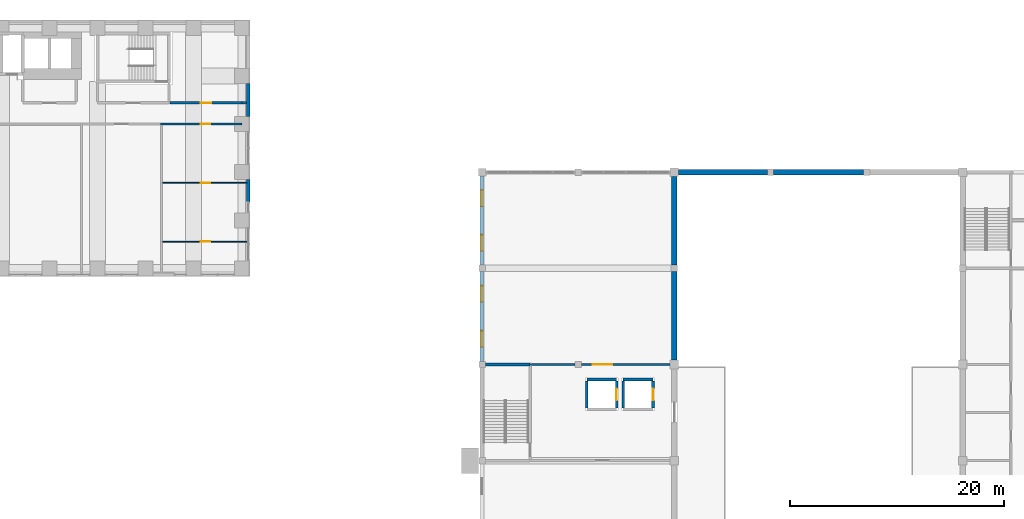
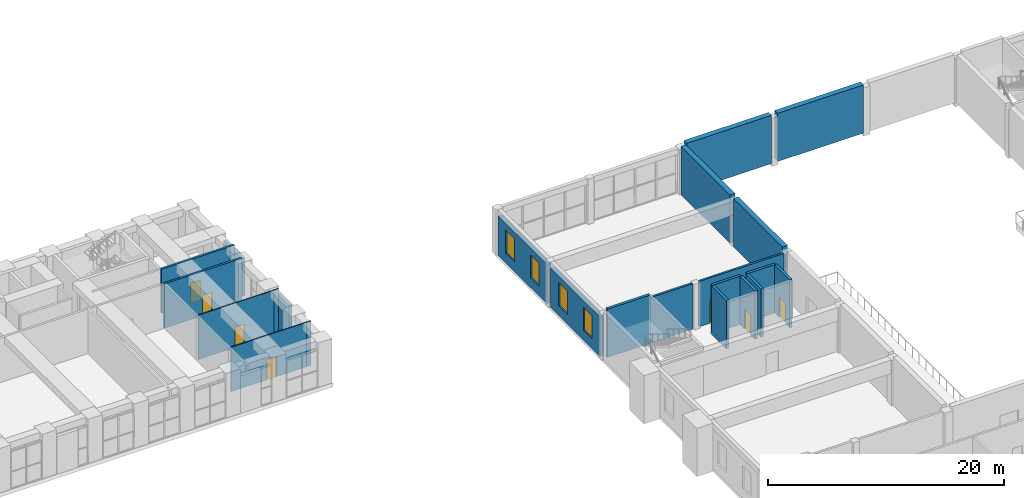
# One storey, part 23 of 34: 24 walls, 7 doors, 4 windows, 11 openings.
"""IFC4 building model written with IfcOpenShell, lengths in metres."""

from ifc_helpers import new_model, si_unit, direction, frame, frame_2d, origin, place, context, subcontext, project, spatial, rectangle, extrude, material, layer, layer_set, type_object, element, fill, save


model = new_model("IFC4")

# Units and contexts
model_context = context("Model", 3, precision=1e-05, world=origin(), true_north=direction((0.0, 1.0)))
body_context = subcontext(model_context, "Body", "Model", "MODEL_VIEW")
ifc_project = project(units=[si_unit("LENGTHUNIT", "METRE"), si_unit("AREAUNIT", "SQUARE_METRE"), si_unit("VOLUMEUNIT", "CUBIC_METRE"), si_unit("PLANEANGLEUNIT", "RADIAN"), si_unit("MASSUNIT", "GRAM", prefix="KILO")], contexts=[model_context])

# Site, building, storey
site_placement = place(None, origin())
site = spatial("IfcSite", under=ifc_project, at=site_placement, CompositionType="ELEMENT")
building_placement = place(site_placement, origin())
building = spatial("IfcBuilding", under=site, at=building_placement, Name="Firuza Court", CompositionType="ELEMENT")
storey_placement = place(building_placement, frame((0.0, 0.0, 14.0)))
storey = spatial("IfcBuildingStorey", under=building, at=storey_placement, Name="L02", CompositionType="ELEMENT", Elevation=14.0)

# Wall, opening, door
ifc_material_1 = material(Name="Blockwork, plastered both sides", Category="masonry")
ifc_layer_1 = layer(ifc_material_1, 0.199951171875)
ifc_layer_set_1 = layer_set([ifc_layer_1], Name="Blockwork, plastered both sides")
wall_type_1 = type_object("IfcWallType", Name="Corridor wall 200", PredefinedType="PARTITIONING", material=ifc_layer_set_1)
wall_1_placement = place(storey_placement, frame((59.89990234375, 49.5, 0.0), z_axis=(0.0, 0.0, 1.0), x_axis=(1.0, 0.0, 0.0)))
wall_1 = element("IfcWall", 1, at=wall_1_placement, inside=storey, type_object=wall_type_1, Name="Corridor wall 200 L02", PredefinedType="PARTITIONING", context=body_context, shape_type="SweptSolid", body=[
    extrude(rectangle(XDim=7.60009765625, YDim=0.199951171875, at=frame_2d((3.800048828125, 0.0))), origin(), (0.0, 0.0, 1.0), 4.60009765625),
])
opening_1_placement = place(wall_1_placement, frame((3.75, 0.0, 0.0)))
opening_1 = element("IfcOpeningElement", 2, at=opening_1_placement, cuts=wall_1, Name="Opening D02036", PredefinedType="OPENING", context=body_context, shape_type="SweptSolid", body=[
    extrude(rectangle(XDim=0.89990234375, YDim=2.10009765625, at=frame_2d((0.449951171875, 1.050048828125))), frame((0.0, 0.11181640625, 0.0), z_axis=(0.0, -1.0, 0.0), x_axis=(1.0, 0.0, 0.0)), (0.0, 0.0, 1.0), 0.223876953125),
])
ifc_material_2 = material(Name="Timber door leaf in hardwood frame", Category="wood")
door_type_1 = type_object("IfcDoorType", Name="Room door 900 EI 30", OperationType="SINGLE_SWING_LEFT", PredefinedType="DOOR", material=ifc_material_2)
door_1_placement = place(opening_1_placement, frame((0.89990234375, 0.0, 0.0), z_axis=(0.0, 0.0, 1.0), x_axis=(-1.0, 0.0, 0.0)))
door_1 = element("IfcDoor", 3, at=door_1_placement, inside=storey, type_object=door_type_1, Name="Room door", OperationType="SINGLE_SWING_LEFT", OverallHeight=2.10009765625, OverallWidth=0.89990234375, PredefinedType="DOOR", context=body_context, shape_type="SweptSolid", body=[
    extrude(rectangle(XDim=0.89990234375, YDim=2.10009765625, at=frame_2d((0.449951171875, 1.050048828125))), frame((0.0, 0.02490234375, 0.0), z_axis=(0.0, -1.0, 0.0), x_axis=(1.0, 0.0, 0.0)), (0.0, 0.0, 1.0), 0.050048828125),
])
fill(opening_1, door_1)

# Wall
ifc_material_3 = material(Name="Blockwork", Category="masonry")
ifc_layer_2 = layer(ifc_material_3, 0.199951171875)
ifc_layer_set_2 = layer_set([ifc_layer_2], Name="Blockwork")
wall_type_2 = type_object("IfcWallType", Name="HALL PARTITION 200", PredefinedType="STANDARD", material=ifc_layer_set_2)
wall_2_placement = place(storey_placement, frame((94.5, 27.0, 0.0), z_axis=(0.0, 0.0, 1.0), x_axis=(1.0, 0.0, 0.0)))
element("IfcWall", 4, at=wall_2_placement, inside=storey, type_object=wall_type_2, Name="Wall L02.36", PredefinedType="STANDARD", context=body_context, shape_type="SweptSolid", body=[
    extrude(rectangle(XDim=4.199951171875, YDim=0.199951171875, at=frame_2d((2.10009765625, 0.0))), origin(), (0.0, 0.0, 1.0), 4.699951171875),
])

# Wall, opening, door
wall_3_placement = place(storey_placement, frame((99.300048828125, 27.0, 0.0), z_axis=(0.0, 0.0, 1.0), x_axis=(1.0, 0.0, 0.0)))
wall_3 = element("IfcWall", 5, at=wall_3_placement, inside=storey, type_object=wall_type_2, Name="Wall L02.37", PredefinedType="STANDARD", context=body_context, shape_type="SweptSolid", body=[
    extrude(rectangle(XDim=8.300048828125, YDim=0.199951171875, at=frame_2d((4.14990234375, 0.0))), origin(), (0.0, 0.0, 1.0), 4.699951171875),
])
opening_2_placement = place(wall_3_placement, frame((1.070068359375, 0.0, 0.0)))
opening_2 = element("IfcOpeningElement", 6, at=opening_2_placement, cuts=wall_3, Name="Opening H101", PredefinedType="OPENING", context=body_context, shape_type="SweptSolid", body=[
    extrude(rectangle(XDim=1.800048828125, YDim=2.39990234375, at=frame_2d((0.89990234375, 1.199951171875))), frame((0.0, 0.11181640625, 0.0), z_axis=(0.0, -1.0, 0.0), x_axis=(1.0, 0.0, 0.0)), (0.0, 0.0, 1.0), 0.223876953125),
])
ifc_material_4 = material(Name="Timber", Category="wood")
door_type_2 = type_object("IfcDoorType", Name="HALL DOOR 1800X2400", OperationType="DOUBLE_DOOR_SINGLE_SWING", PredefinedType="DOOR", material=ifc_material_4)
door_2_placement = place(opening_2_placement, origin())
door_2 = element("IfcDoor", 7, at=door_2_placement, inside=storey, type_object=door_type_2, Name="Door Restaurant and bar", OperationType="DOUBLE_DOOR_SINGLE_SWING", OverallHeight=2.39990234375, OverallWidth=1.800048828125, PredefinedType="DOOR", context=body_context, shape_type="SweptSolid", body=[
    extrude(rectangle(XDim=1.800048828125, YDim=2.39990234375, at=frame_2d((0.89990234375, 1.199951171875))), frame((0.0, 0.02490234375, 0.0), z_axis=(0.0, -1.0, 0.0), x_axis=(1.0, 0.0, 0.0)), (0.0, 0.0, 1.0), 0.050048828125),
])
fill(opening_2, door_2)

# Walls
ifc_material_5 = material(Name="Concrete C40/50", Category="concrete")
ifc_layer_3 = layer(ifc_material_5, 0.25)
ifc_layer_set_3 = layer_set([ifc_layer_3], Name="Concrete C40/50")
wall_type_3 = type_object("IfcWallType", Name="HALL RC WALL 250", PredefinedType="STANDARD", material=ifc_layer_set_3)
for number, where, z_axis, x_axis, name in (
    (8, (99.800048828125, 25.60009765625, 0.0), (0.0, 0.0, 1.0), (1.0, 0.0, 0.0), "Wall L02.33"),
    (9, (103.199951171875, 25.60009765625, 0.0), (0.0, 0.0, 1.0), (1.0, 0.0, 0.0), "Wall L02.34"),
):
    element("IfcWall", number, at=place(storey_placement, frame(where, z_axis=z_axis, x_axis=x_axis)), inside=storey, type_object=wall_type_3, Name=name, PredefinedType="STANDARD", context=body_context, shape_type="SweptSolid", body=[
        extrude(rectangle(XDim=2.800048828125, YDim=0.25, at=frame_2d((1.39990234375, 0.0))), origin(), (0.0, 0.0, 1.0), 5.0),
    ])
wall_4_placement = place(storey_placement, frame((90.300048828125, 27.0, 0.0), z_axis=(0.0, 0.0, 1.0), x_axis=(1.0, 0.0, 0.0)))
element("IfcWall", 10, at=wall_4_placement, inside=storey, type_object=wall_type_3, Name="Wall L02.35", PredefinedType="STANDARD", context=body_context, shape_type="SweptSolid", body=[
    extrude(rectangle(XDim=4.199951171875, YDim=0.25, at=frame_2d((2.10009765625, 0.0))), origin(), (0.0, 0.0, 1.0), 5.0),
])
wall_5_placement = place(storey_placement, frame((99.800048828125, 22.925048828125, 0.0), z_axis=(0.0, 0.0, 1.0), x_axis=(0.0, 1.0, 0.0)))
element("IfcWall", 11, at=wall_5_placement, inside=storey, type_object=wall_type_3, Name="Wall L02.57", PredefinedType="STANDARD", context=body_context, shape_type="SweptSolid", body=[
    extrude(rectangle(XDim=2.550048828125, YDim=0.25, at=frame_2d((1.27490234375, 0.0))), origin(), (0.0, 0.0, 1.0), 5.0),
])

# Wall, opening, door
wall_6_placement = place(storey_placement, frame((102.60009765625, 22.925048828125, 0.0), z_axis=(0.0, 0.0, 1.0), x_axis=(0.0, 1.0, 0.0)))
wall_6 = element("IfcWall", 12, at=wall_6_placement, inside=storey, type_object=wall_type_3, Name="Wall L02.59", PredefinedType="STANDARD", context=body_context, shape_type="SweptSolid", body=[
    extrude(rectangle(XDim=2.550048828125, YDim=0.25, at=frame_2d((1.27490234375, 0.0))), origin(), (0.0, 0.0, 1.0), 5.0),
])
opening_3_placement = place(wall_6_placement, frame((0.719970703125, 0.0, 0.0)))
opening_3 = element("IfcOpeningElement", 13, at=opening_3_placement, cuts=wall_6, Name="Opening LD", PredefinedType="OPENING", context=body_context, shape_type="SweptSolid", body=[
    extrude(rectangle(XDim=1.10009765625, YDim=2.10009765625, at=frame_2d((0.550048828125, 1.050048828125))), frame((0.0, 0.136962890625, 0.0), z_axis=(0.0, -1.0, 0.0), x_axis=(1.0, 0.0, 0.0)), (0.0, 0.0, 1.0), 0.27392578125),
])
ifc_material_6 = material(Name="Stainless steel", Category="steel")
door_type_3 = type_object("IfcDoorType", Name="HALL LANDING DOOR 1100X2100", OperationType="SLIDING_TO_LEFT", PredefinedType="DOOR", material=ifc_material_6)
door_3_placement = place(opening_3_placement, origin())
door_3 = element("IfcDoor", 14, at=door_3_placement, inside=storey, type_object=door_type_3, Name="Landing door PL1 L02", OperationType="SLIDING_TO_LEFT", OverallHeight=2.10009765625, OverallWidth=1.10009765625, PredefinedType="DOOR", context=body_context, shape_type="SweptSolid", body=[
    extrude(rectangle(XDim=1.10009765625, YDim=2.10009765625, at=frame_2d((0.550048828125, 1.050048828125))), frame((0.0, 0.02490234375, 0.0), z_axis=(0.0, -1.0, 0.0), x_axis=(1.0, 0.0, 0.0)), (0.0, 0.0, 1.0), 0.050048828125),
])
fill(opening_3, door_3)

# Wall
wall_7_placement = place(storey_placement, frame((103.199951171875, 22.925048828125, 0.0), z_axis=(0.0, 0.0, 1.0), x_axis=(0.0, 1.0, 0.0)))
element("IfcWall", 15, at=wall_7_placement, inside=storey, type_object=wall_type_3, Name="Wall L02.60", PredefinedType="STANDARD", context=body_context, shape_type="SweptSolid", body=[
    extrude(rectangle(XDim=2.550048828125, YDim=0.25, at=frame_2d((1.27490234375, 0.0))), origin(), (0.0, 0.0, 1.0), 5.0),
])

# Wall, opening, door
wall_8_placement = place(storey_placement, frame((106.0, 22.925048828125, 0.0), z_axis=(0.0, 0.0, 1.0), x_axis=(0.0, 1.0, 0.0)))
wall_8 = element("IfcWall", 16, at=wall_8_placement, inside=storey, type_object=wall_type_3, Name="Wall L02.61", PredefinedType="STANDARD", context=body_context, shape_type="SweptSolid", body=[
    extrude(rectangle(XDim=2.550048828125, YDim=0.25, at=frame_2d((1.27490234375, 0.0))), origin(), (0.0, 0.0, 1.0), 5.0),
])
opening_4_placement = place(wall_8_placement, frame((0.719970703125, 0.0, 0.0)))
opening_4 = element("IfcOpeningElement", 17, at=opening_4_placement, cuts=wall_8, Name="Opening LD", PredefinedType="OPENING", context=body_context, shape_type="SweptSolid", body=[
    extrude(rectangle(XDim=1.10009765625, YDim=2.10009765625, at=frame_2d((0.550048828125, 1.050048828125))), frame((0.0, 0.136962890625, 0.0), z_axis=(0.0, -1.0, 0.0), x_axis=(1.0, 0.0, 0.0)), (0.0, 0.0, 1.0), 0.27392578125),
])
door_4_placement = place(opening_4_placement, origin())
door_4 = element("IfcDoor", 18, at=door_4_placement, inside=storey, type_object=door_type_3, Name="Landing door PL2 L02", OperationType="SLIDING_TO_LEFT", OverallHeight=2.10009765625, OverallWidth=1.10009765625, PredefinedType="DOOR", context=body_context, shape_type="SweptSolid", body=[
    extrude(rectangle(XDim=1.10009765625, YDim=2.10009765625, at=frame_2d((0.550048828125, 1.050048828125))), frame((0.0, 0.02490234375, 0.0), z_axis=(0.0, -1.0, 0.0), x_axis=(1.0, 0.0, 0.0)), (0.0, 0.0, 1.0), 0.050048828125),
])
fill(opening_4, door_4)

# Walls
ifc_layer_4 = layer(ifc_material_5, 0.5)
ifc_layer_set_4 = layer_set([ifc_layer_4], Name="Concrete C40/50")
wall_type_4 = type_object("IfcWallType", Name="HALL RC WALL 500", PredefinedType="STANDARD", material=ifc_layer_set_4)
for number, where, z_axis, x_axis, name in (
    (19, (108.0, 27.39990234375, 0.0), (0.0, 0.0, 1.0), (0.0, 1.0, 0.0), "Wall L02.66"),
    (20, (108.0, 36.300048828125, 0.0), (0.0, 0.0, 1.0), (0.0, 1.0, 0.0), "Wall L02.67"),
):
    element("IfcWall", number, at=place(storey_placement, frame(where, z_axis=z_axis, x_axis=x_axis)), inside=storey, type_object=wall_type_4, Name=name, PredefinedType="STANDARD", context=body_context, shape_type="SweptSolid", body=[
        extrude(rectangle(XDim=8.300048828125, YDim=0.5, at=frame_2d((4.14990234375, 0.0))), origin(), (0.0, 0.0, 1.0), 5.0),
    ])
ifc_material_7 = material(Name="Concrete C30/37", Category="concrete")
ifc_layer_5 = layer(ifc_material_7, 0.300048828125)
ifc_material_8 = material(Name="Ceramic tile", Category="ceramic")
ifc_layer_6 = layer(ifc_material_8, 0.050048828125)
ifc_layer_set_5 = layer_set([ifc_layer_5, ifc_layer_6], Name="Concrete C30/37")
wall_type_5 = type_object("IfcWallType", Name="HALL TILE CLAD WALL 350", PredefinedType="STANDARD", material=ifc_layer_set_5)
wall_9_placement = place(storey_placement, frame((108.39990234375, 45.0, 0.0), z_axis=(0.0, 0.0, 1.0), x_axis=(1.0, 0.0, 0.0)))
element("IfcWall", 21, at=wall_9_placement, inside=storey, type_object=wall_type_5, Name="Wall L02.43", PredefinedType="STANDARD", context=body_context, shape_type="SweptSolid", body=[
    extrude(rectangle(XDim=8.300048828125, YDim=0.5, at=frame_2d((4.14990234375, 0.0))), origin(), (0.0, 0.0, 1.0), 5.0),
])
wall_10_placement = place(storey_placement, frame((117.300048828125, 45.0, 0.0), z_axis=(0.0, 0.0, 1.0), x_axis=(1.0, 0.0, 0.0)))
element("IfcWall", 22, at=wall_10_placement, inside=storey, type_object=wall_type_5, Name="Wall L02.44", PredefinedType="STANDARD", context=body_context, shape_type="SweptSolid", body=[
    extrude(rectangle(XDim=8.39990234375, YDim=0.5, at=frame_2d((4.199951171875, 0.0))), origin(), (0.0, 0.0, 1.0), 5.0),
])

# Wall, openings, windows
wall_11_placement = place(storey_placement, frame((90.0, 27.300048828125, 0.0), z_axis=(0.0, 0.0, 1.0), x_axis=(0.0, 1.0, 0.0)))
wall_11 = element("IfcWall", 23, at=wall_11_placement, inside=storey, type_object=wall_type_5, Name="Wall L02.53", PredefinedType="STANDARD", context=body_context, shape_type="SweptSolid", body=[
    extrude(rectangle(XDim=8.39990234375, YDim=0.35009765625, at=frame_2d((4.199951171875, 0.0))), origin(), (0.0, 0.0, 1.0), 4.10009765625),
])
opening_5_placement = place(wall_11_placement, frame((1.35009765625, 0.0, 1.0)))
opening_5 = element("IfcOpeningElement", 24, at=opening_5_placement, cuts=wall_11, Name="Opening HW-1", PredefinedType="OPENING", context=body_context, shape_type="SweptSolid", body=[
    extrude(rectangle(XDim=1.5, YDim=2.39990234375, at=frame_2d((0.75, 1.199951171875))), frame((0.0, 0.18701171875, 0.0), z_axis=(0.0, -1.0, 0.0), x_axis=(1.0, 0.0, 0.0)), (0.0, 0.0, 1.0), 0.3740234375),
])
opening_6_placement = place(wall_11_placement, frame((5.550048828125, 0.0, 1.0)))
opening_6 = element("IfcOpeningElement", 25, at=opening_6_placement, cuts=wall_11, Name="Opening HW-1", PredefinedType="OPENING", context=body_context, shape_type="SweptSolid", body=[
    extrude(rectangle(XDim=1.5, YDim=2.39990234375, at=frame_2d((0.75, 1.199951171875))), frame((0.0, 0.18701171875, 0.0), z_axis=(0.0, -1.0, 0.0), x_axis=(1.0, 0.0, 0.0)), (0.0, 0.0, 1.0), 0.3740234375),
])
ifc_material_9 = material(Name="Aluminium", Category="aluminium")
window_type = type_object("IfcWindowType", Name="HALL WINDOW 1500X2400", PartitioningType="SINGLE_PANEL", PredefinedType="WINDOW", material=ifc_material_9)
window_1_placement = place(opening_5_placement, origin())
window_1 = element("IfcWindow", 26, at=window_1_placement, inside=storey, type_object=window_type, Name="Window L02.62", OverallHeight=2.39990234375, OverallWidth=1.5, PartitioningType="SINGLE_PANEL", PredefinedType="WINDOW", context=body_context, shape_type="SweptSolid", body=[
    extrude(rectangle(XDim=1.5, YDim=2.39990234375, at=frame_2d((0.75, 1.199951171875))), frame((0.0, 0.030029296875, 0.0), z_axis=(0.0, -1.0, 0.0), x_axis=(1.0, 0.0, 0.0)), (0.0, 0.0, 1.0), 0.06005859375),
])
fill(opening_5, window_1)
window_2_placement = place(opening_6_placement, origin())
window_2 = element("IfcWindow", 27, at=window_2_placement, inside=storey, type_object=window_type, Name="Window L02.63", OverallHeight=2.39990234375, OverallWidth=1.5, PartitioningType="SINGLE_PANEL", PredefinedType="WINDOW", context=body_context, shape_type="SweptSolid", body=[
    extrude(rectangle(XDim=1.5, YDim=2.39990234375, at=frame_2d((0.75, 1.199951171875))), frame((0.0, 0.030029296875, 0.0), z_axis=(0.0, -1.0, 0.0), x_axis=(1.0, 0.0, 0.0)), (0.0, 0.0, 1.0), 0.06005859375),
])
fill(opening_6, window_2)

wall_12_placement = place(storey_placement, frame((90.0, 36.300048828125, 0.0), z_axis=(0.0, 0.0, 1.0), x_axis=(0.0, 1.0, 0.0)))
wall_12 = element("IfcWall", 28, at=wall_12_placement, inside=storey, type_object=wall_type_5, Name="Wall L02.54", PredefinedType="STANDARD", context=body_context, shape_type="SweptSolid", body=[
    extrude(rectangle(XDim=8.349853515625, YDim=0.35009765625, at=frame_2d((4.1748046875, 0.0))), origin(), (0.0, 0.0, 1.0), 4.10009765625),
])
opening_7_placement = place(wall_12_placement, frame((1.33740234375, 0.0, 1.0)))
opening_7 = element("IfcOpeningElement", 29, at=opening_7_placement, cuts=wall_12, Name="Opening HW-1", PredefinedType="OPENING", context=body_context, shape_type="SweptSolid", body=[
    extrude(rectangle(XDim=1.5, YDim=2.39990234375, at=frame_2d((0.75, 1.199951171875))), frame((0.0, 0.18701171875, 0.0), z_axis=(0.0, -1.0, 0.0), x_axis=(1.0, 0.0, 0.0)), (0.0, 0.0, 1.0), 0.3740234375),
])
opening_8_placement = place(wall_12_placement, frame((5.512451171875, 0.0, 1.0)))
opening_8 = element("IfcOpeningElement", 30, at=opening_8_placement, cuts=wall_12, Name="Opening HW-1", PredefinedType="OPENING", context=body_context, shape_type="SweptSolid", body=[
    extrude(rectangle(XDim=1.5, YDim=2.39990234375, at=frame_2d((0.75, 1.199951171875))), frame((0.0, 0.18701171875, 0.0), z_axis=(0.0, -1.0, 0.0), x_axis=(1.0, 0.0, 0.0)), (0.0, 0.0, 1.0), 0.3740234375),
])
window_3_placement = place(opening_7_placement, origin())
window_3 = element("IfcWindow", 31, at=window_3_placement, inside=storey, type_object=window_type, Name="Window L02.64", OverallHeight=2.39990234375, OverallWidth=1.5, PartitioningType="SINGLE_PANEL", PredefinedType="WINDOW", context=body_context, shape_type="SweptSolid", body=[
    extrude(rectangle(XDim=1.5, YDim=2.39990234375, at=frame_2d((0.75, 1.199951171875))), frame((0.0, 0.030029296875, 0.0), z_axis=(0.0, -1.0, 0.0), x_axis=(1.0, 0.0, 0.0)), (0.0, 0.0, 1.0), 0.06005859375),
])
fill(opening_7, window_3)
window_4_placement = place(opening_8_placement, origin())
window_4 = element("IfcWindow", 32, at=window_4_placement, inside=storey, type_object=window_type, Name="Window L02.65", OverallHeight=2.39990234375, OverallWidth=1.5, PartitioningType="SINGLE_PANEL", PredefinedType="WINDOW", context=body_context, shape_type="SweptSolid", body=[
    extrude(rectangle(XDim=1.5, YDim=2.39990234375, at=frame_2d((0.75, 1.199951171875))), frame((0.0, 0.030029296875, 0.0), z_axis=(0.0, -1.0, 0.0), x_axis=(1.0, 0.0, 0.0)), (0.0, 0.0, 1.0), 0.06005859375),
])
fill(opening_8, window_4)

# Wall, opening, door
ifc_material_10 = material(Name="Timber stud partition, plasterboard both sides", Category="wood")
ifc_layer_7 = layer(ifc_material_10, 0.10009765625)
ifc_layer_set_6 = layer_set([ifc_layer_7], Name="Timber stud partition, plasterboard both sides")
wall_type_6 = type_object("IfcWallType", Name="Partition wall 100", PredefinedType="PARTITIONING", material=ifc_layer_set_6)
wall_13_placement = place(storey_placement, frame((67.5, 38.5, 0.0), z_axis=(0.0, 0.0, 1.0), x_axis=(-1.0, 0.0, 0.0)))
wall_13 = element("IfcWall", 33, at=wall_13_placement, inside=storey, type_object=wall_type_6, Name="Partition wall 100 L02", PredefinedType="PARTITIONING", context=body_context, shape_type="SweptSolid", body=[
    extrude(rectangle(XDim=7.39990234375, YDim=0.10009765625, at=frame_2d((3.699951171875, 0.0))), origin(), (0.0, 0.0, 1.0), 4.60009765625),
])
opening_9_placement = place(wall_13_placement, frame((2.949951171875, 0.0, 0.0)))
opening_9 = element("IfcOpeningElement", 34, at=opening_9_placement, cuts=wall_13, Name="Opening D02028", PredefinedType="OPENING", context=body_context, shape_type="SweptSolid", body=[
    extrude(rectangle(XDim=0.89990234375, YDim=2.10009765625, at=frame_2d((0.449951171875, 1.050048828125))), frame((0.0, 0.06201171875, 0.0), z_axis=(0.0, -1.0, 0.0), x_axis=(1.0, 0.0, 0.0)), (0.0, 0.0, 1.0), 0.1240234375),
])
ifc_material_11 = material(Name="Timber door leaf in hardwood frame", Category="wood")
door_type_4 = type_object("IfcDoorType", Name="Room door 900", OperationType="SINGLE_SWING_LEFT", PredefinedType="DOOR", material=ifc_material_11)
door_5_placement = place(opening_9_placement, frame((0.89990234375, 0.0, 0.0), z_axis=(0.0, 0.0, 1.0), x_axis=(-1.0, 0.0, 0.0)))
door_5 = element("IfcDoor", 35, at=door_5_placement, inside=storey, type_object=door_type_4, Name="Room door", OperationType="SINGLE_SWING_RIGHT", OverallHeight=2.10009765625, OverallWidth=0.89990234375, PredefinedType="DOOR", context=body_context, shape_type="SweptSolid", body=[
    extrude(rectangle(XDim=0.89990234375, YDim=2.10009765625, at=frame_2d((0.449951171875, 1.050048828125))), frame((0.0, 0.02490234375, 0.0), z_axis=(0.0, -1.0, 0.0), x_axis=(1.0, 0.0, 0.0)), (0.0, 0.0, 1.0), 0.050048828125),
])
fill(opening_9, door_5)

# Wall
wall_14_placement = place(storey_placement, frame((67.949951171875, 38.5, 0.0), z_axis=(0.0, 0.0, 1.0), x_axis=(-1.0, 0.0, 0.0)))
element("IfcWall", 36, at=wall_14_placement, inside=storey, type_object=wall_type_6, Name="Partition wall 100 L02", PredefinedType="PARTITIONING", context=body_context, shape_type="SweptSolid", body=[
    extrude(rectangle(XDim=0.449951171875, YDim=0.10009765625, at=frame_2d((0.22509765625, 0.0))), origin(), (0.0, 0.0, 1.0), 4.60009765625),
])

# Wall, opening, door
wall_15_placement = place(storey_placement, frame((67.5, 44.0, 0.0), z_axis=(0.0, 0.0, 1.0), x_axis=(-1.0, 0.0, 0.0)))
wall_15 = element("IfcWall", 37, at=wall_15_placement, inside=storey, type_object=wall_type_6, Name="Partition wall 100 L02", PredefinedType="PARTITIONING", context=body_context, shape_type="SweptSolid", body=[
    extrude(rectangle(XDim=7.39990234375, YDim=0.10009765625, at=frame_2d((3.699951171875, 0.0))), origin(), (0.0, 0.0, 1.0), 4.60009765625),
])
opening_10_placement = place(wall_15_placement, frame((2.949951171875, 0.0, 0.0)))
opening_10 = element("IfcOpeningElement", 38, at=opening_10_placement, cuts=wall_15, Name="Opening D02031", PredefinedType="OPENING", context=body_context, shape_type="SweptSolid", body=[
    extrude(rectangle(XDim=0.89990234375, YDim=2.10009765625, at=frame_2d((0.449951171875, 1.050048828125))), frame((0.0, 0.06201171875, 0.0), z_axis=(0.0, -1.0, 0.0), x_axis=(1.0, 0.0, 0.0)), (0.0, 0.0, 1.0), 0.1240234375),
])
door_6_placement = place(opening_10_placement, origin())
door_6 = element("IfcDoor", 39, at=door_6_placement, inside=storey, type_object=door_type_4, Name="Room door", OperationType="SINGLE_SWING_LEFT", OverallHeight=2.10009765625, OverallWidth=0.89990234375, PredefinedType="DOOR", context=body_context, shape_type="SweptSolid", body=[
    extrude(rectangle(XDim=0.89990234375, YDim=2.10009765625, at=frame_2d((0.449951171875, 1.050048828125))), frame((0.0, 0.02490234375, 0.0), z_axis=(0.0, -1.0, 0.0), x_axis=(1.0, 0.0, 0.0)), (0.0, 0.0, 1.0), 0.050048828125),
])
fill(opening_10, door_6)

# Wall
wall_16_placement = place(storey_placement, frame((67.949951171875, 44.0, 0.0), z_axis=(0.0, 0.0, 1.0), x_axis=(-1.0, 0.0, 0.0)))
element("IfcWall", 40, at=wall_16_placement, inside=storey, type_object=wall_type_6, Name="Partition wall 100 L02", PredefinedType="PARTITIONING", context=body_context, shape_type="SweptSolid", body=[
    extrude(rectangle(XDim=0.449951171875, YDim=0.10009765625, at=frame_2d((0.22509765625, 0.0))), origin(), (0.0, 0.0, 1.0), 4.60009765625),
])

# Wall, opening, door
ifc_material_12 = material(Name="Blockwork, fire-rated", Category="masonry")
ifc_layer_8 = layer(ifc_material_12, 0.199951171875)
ifc_layer_set_7 = layer_set([ifc_layer_8], Name="Blockwork, fire-rated")
wall_type_7 = type_object("IfcWallType", Name="Plant room wall 200", PredefinedType="PARTITIONING", material=ifc_layer_set_7)
wall_17_placement = place(storey_placement, frame((67.5, 51.5, 0.0), z_axis=(0.0, 0.0, 1.0), x_axis=(-1.0, 0.0, 0.0)))
wall_17 = element("IfcWall", 41, at=wall_17_placement, inside=storey, type_object=wall_type_7, Name="Plant room wall 200 L02", PredefinedType="PARTITIONING", context=body_context, shape_type="SweptSolid", body=[
    extrude(rectangle(XDim=6.699951171875, YDim=0.199951171875, at=frame_2d((3.35009765625, 0.0))), origin(), (0.0, 0.0, 1.0), 4.60009765625),
])
opening_11_placement = place(wall_17_placement, frame((2.85009765625, 0.0, 0.0)))
opening_11 = element("IfcOpeningElement", 42, at=opening_11_placement, cuts=wall_17, Name="Opening D02038", PredefinedType="OPENING", context=body_context, shape_type="SweptSolid", body=[
    extrude(rectangle(XDim=1.0, YDim=2.10009765625, at=frame_2d((0.5, 1.050048828125))), frame((0.0, 0.11181640625, 0.0), z_axis=(0.0, -1.0, 0.0), x_axis=(1.0, 0.0, 0.0)), (0.0, 0.0, 1.0), 0.223876953125),
])
ifc_material_13 = material(Name="Timber door leaf in hardwood frame", Category="wood")
door_type_5 = type_object("IfcDoorType", Name="Store door 1000", OperationType="SINGLE_SWING_LEFT", PredefinedType="DOOR", material=ifc_material_13)
door_7_placement = place(opening_11_placement, frame((1.0, 0.0, 0.0), z_axis=(0.0, 0.0, 1.0), x_axis=(-1.0, 0.0, 0.0)))
door_7 = element("IfcDoor", 43, at=door_7_placement, inside=storey, type_object=door_type_5, Name="Store door", OperationType="SINGLE_SWING_LEFT", OverallHeight=2.10009765625, OverallWidth=1.0, PredefinedType="DOOR", context=body_context, shape_type="SweptSolid", body=[
    extrude(rectangle(XDim=1.0, YDim=2.10009765625, at=frame_2d((0.5, 1.050048828125))), frame((0.0, 0.02490234375, 0.0), z_axis=(0.0, -1.0, 0.0), x_axis=(1.0, 0.0, 0.0)), (0.0, 0.0, 1.0), 0.050048828125),
])
fill(opening_11, door_7)

# Walls
wall_18_placement = place(storey_placement, frame((67.949951171875, 51.5, 0.0), z_axis=(0.0, 0.0, 1.0), x_axis=(-1.0, 0.0, 0.0)))
element("IfcWall", 44, at=wall_18_placement, inside=storey, type_object=wall_type_7, Name="Plant room wall 200 L02", PredefinedType="PARTITIONING", context=body_context, shape_type="SweptSolid", body=[
    extrude(rectangle(XDim=0.449951171875, YDim=0.199951171875, at=frame_2d((0.22509765625, 0.0))), origin(), (0.0, 0.0, 1.0), 4.60009765625),
])
ifc_layer_9 = layer(ifc_material_8, 0.02001953125)
ifc_material_14 = material(Name="Mineral wool insulation", Category="insulation")
ifc_layer_10 = layer(ifc_material_14, 0.1298828125)
ifc_material_15 = material(Name="Concrete C40/50 precast", Category="concrete")
ifc_layer_11 = layer(ifc_material_15, 0.14990234375)
ifc_layer_set_8 = layer_set([ifc_layer_9, ifc_layer_10, ifc_layer_11], Name="Concrete C40/50 precast")
wall_type_8 = type_object("IfcWallType", Name="Precast spandrel wall with turquoise TILE PANEL face 300", PredefinedType="STANDARD", material=ifc_layer_set_8)
wall_19_placement = place(storey_placement, frame((68.10009765625, 42.2236328125, 0.0), z_axis=(0.0, 0.0, 1.0), x_axis=(0.0, 1.0, 0.0)))
element("IfcWall", 45, at=wall_19_placement, inside=storey, type_object=wall_type_8, Name="Facade wall L02 E", PredefinedType="STANDARD", context=body_context, shape_type="SweptSolid", body=[
    extrude(rectangle(XDim=2.076416015625, YDim=0.300048828125, at=frame_2d((1.0380859375, 0.0))), origin(), (0.0, 0.0, 1.0), 3.89990234375),
])
wall_20_placement = place(storey_placement, frame((68.10009765625, 50.199951171875, 0.0), z_axis=(0.0, 0.0, 1.0), x_axis=(0.0, 1.0, 0.0)))
element("IfcWall", 46, at=wall_20_placement, inside=storey, type_object=wall_type_8, Name="Facade wall L02 E", PredefinedType="STANDARD", context=body_context, shape_type="SweptSolid", body=[
    extrude(rectangle(XDim=3.10009765625, YDim=0.300048828125, at=frame_2d((1.550048828125, 0.0))), origin(), (0.0, 0.0, 1.0), 3.89990234375),
])

save(model, "model.ifc")
